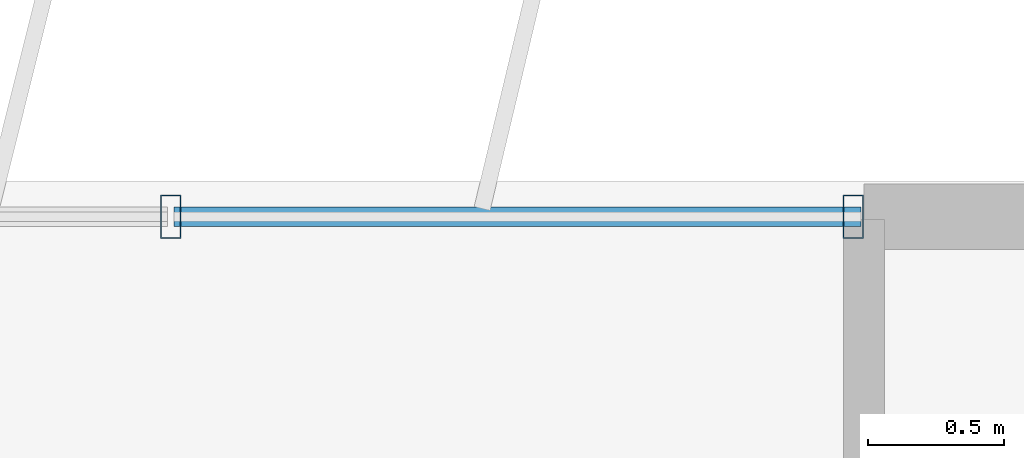
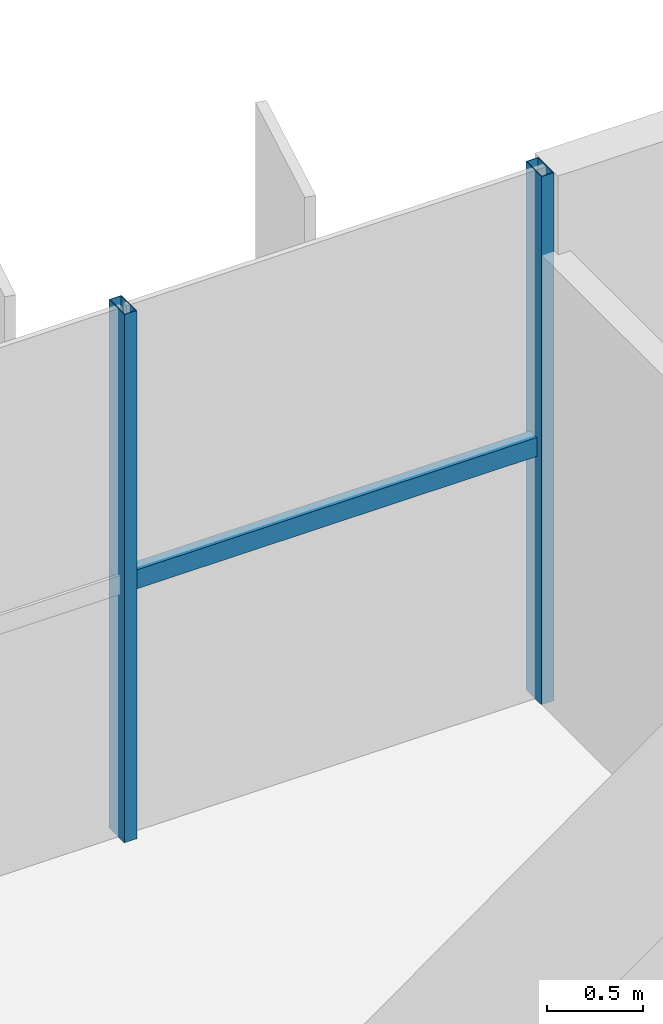
# One storey, part 12 of 21: 3 members, 1 element without a shape of its own.
"""IFC4 building model written with IfcOpenShell, lengths in metres."""

from ifc_helpers import new_model, si_unit, direction, frame, origin, origin_2d, place, context, subcontext, project, spatial, hollow_rectangle, extrude, source, transform, mapped, material, material_profile, profile_set, type_object, element, aggregate, save


model = new_model("IFC4")

# Units and contexts
model_context = context("Model", 3, precision=1e-05, world=origin(), true_north=direction((0.0, 1.0)))
body_context = subcontext(model_context, "Body", "Model", "MODEL_VIEW")
ifc_project = project(units=[si_unit("LENGTHUNIT", "METRE"), si_unit("AREAUNIT", "SQUARE_METRE"), si_unit("VOLUMEUNIT", "CUBIC_METRE"), si_unit("PLANEANGLEUNIT", "RADIAN"), si_unit("MASSUNIT", "GRAM", prefix="KILO")], contexts=[model_context])

# Site, building, storey
site_placement = place(None, origin())
site = spatial("IfcSite", under=ifc_project, at=site_placement, CompositionType="ELEMENT")
building_placement = place(site_placement, origin())
building = spatial("IfcBuilding", under=site, at=building_placement, Name="Trelvane Seafront Commons", CompositionType="ELEMENT")
storey_placement = place(building_placement, frame((0.0, 0.0, 160.89990234375)))
storey = spatial("IfcBuildingStorey", under=building, at=storey_placement, Name="L42", CompositionType="ELEMENT", Elevation=160.89990234375)

# Curtain wall, members
ifc_material = material(Name="Anodised pale-silver aluminium", Category="aluminium")
curtain_wall_type = type_object("IfcCurtainWallType", Name="ARCH-CW5-UPTOWER", PredefinedType="NOTDEFINED", material=ifc_material)
curtain_wall_placement = place(storey_placement, origin())
curtain_wall = element("IfcCurtainWall", 1, at=curtain_wall_placement, inside=storey, type_object=curtain_wall_type, Name="CW-L42-0069", PredefinedType="NOTDEFINED")
ifc_material_profile_1 = material_profile(ifc_material, hollow_rectangle(XDim=0.070068359375, YDim=0.1201171875, WallThickness=0.00390625, at=origin_2d()), Name="TRAN-70x120x4")
ifc_profile_set_1 = profile_set([ifc_material_profile_1], Name="Anodised pale-silver aluminium")
member_type_1 = type_object("IfcMemberType", Name="ARCH-CW-TRAN-120", PredefinedType="USERDEFINED", material=ifc_profile_set_1)
shared_shape_1 = source(origin(), body_context, "Body", "SweptSolid", [
    extrude(hollow_rectangle(XDim=0.070068359375, YDim=0.1201171875, WallThickness=0.00390625, at=origin_2d()), origin(), (0.0, 0.0, 1.0), 2.517333984375),
])
member_1_placement = place(storey_placement, frame((56.270751953125, 48.3701171875, 1.608154296875), z_axis=(1.0, 0.0, 0.0), x_axis=(0.0, 1.0, 0.0)))
member_1 = element("IfcMember", 2, at=member_1_placement, type_object=member_type_1, Name="CW-L42-0069-T16", ObjectType="TRANSOM", PredefinedType="USERDEFINED", context=body_context, shape_type="MappedRepresentation", body=[
    mapped(shared_shape_1, transform((0.0, 0.0, 0.0), x_axis=(1.0, 0.0, 0.0), y_axis=(0.0, 1.0, 0.0), z_axis=(0.0, 0.0, 1.0), scale=1.0)),
])
ifc_material_profile_2 = material_profile(ifc_material, hollow_rectangle(XDim=0.074951171875, YDim=0.159912109375, WallThickness=0.00390625, at=origin_2d()), Name="MULL-75x160x4")
ifc_profile_set_2 = profile_set([ifc_material_profile_2], Name="Anodised pale-silver aluminium")
member_type_2 = type_object("IfcMemberType", Name="ARCH-CW-MULL-160", PredefinedType="MULLION", material=ifc_profile_set_2)
shared_shape_2 = source(origin(), body_context, "Body", "SweptSolid", [
    extrude(hollow_rectangle(XDim=0.074951171875, YDim=0.159912109375, WallThickness=0.00390625, at=origin_2d()), origin(), (0.0, 0.0, 1.0), 3.35009765625),
])
member_2_placement = place(storey_placement, frame((56.2587890625, 48.3701171875, 0.0), z_axis=(0.0, 0.0, 1.0), x_axis=(1.0, 0.0, 0.0)))
member_2 = element("IfcMember", 3, at=member_2_placement, type_object=member_type_2, Name="CW-L42-0069-M16", PredefinedType="MULLION", context=body_context, shape_type="MappedRepresentation", body=[
    mapped(shared_shape_2, transform((0.0, 0.0, 0.0), x_axis=(1.0, 0.0, 0.0), y_axis=(0.0, 1.0, 0.0), z_axis=(0.0, 0.0, 1.0), scale=1.0)),
])
member_3_placement = place(storey_placement, frame((58.760009765625, 48.3701171875, 0.0), z_axis=(0.0, 0.0, 1.0), x_axis=(1.0, 0.0, 0.0)))
member_3 = element("IfcMember", 4, at=member_3_placement, type_object=member_type_2, Name="CW-L42-0069-M17", PredefinedType="MULLION", context=body_context, shape_type="MappedRepresentation", body=[
    mapped(shared_shape_2, transform((0.0, 0.0, 0.0), x_axis=(1.0, 0.0, 0.0), y_axis=(0.0, 1.0, 0.0), z_axis=(0.0, 0.0, 1.0), scale=1.0)),
])
aggregate(curtain_wall, [member_2, member_3, member_1])

save(model, "model.ifc")
